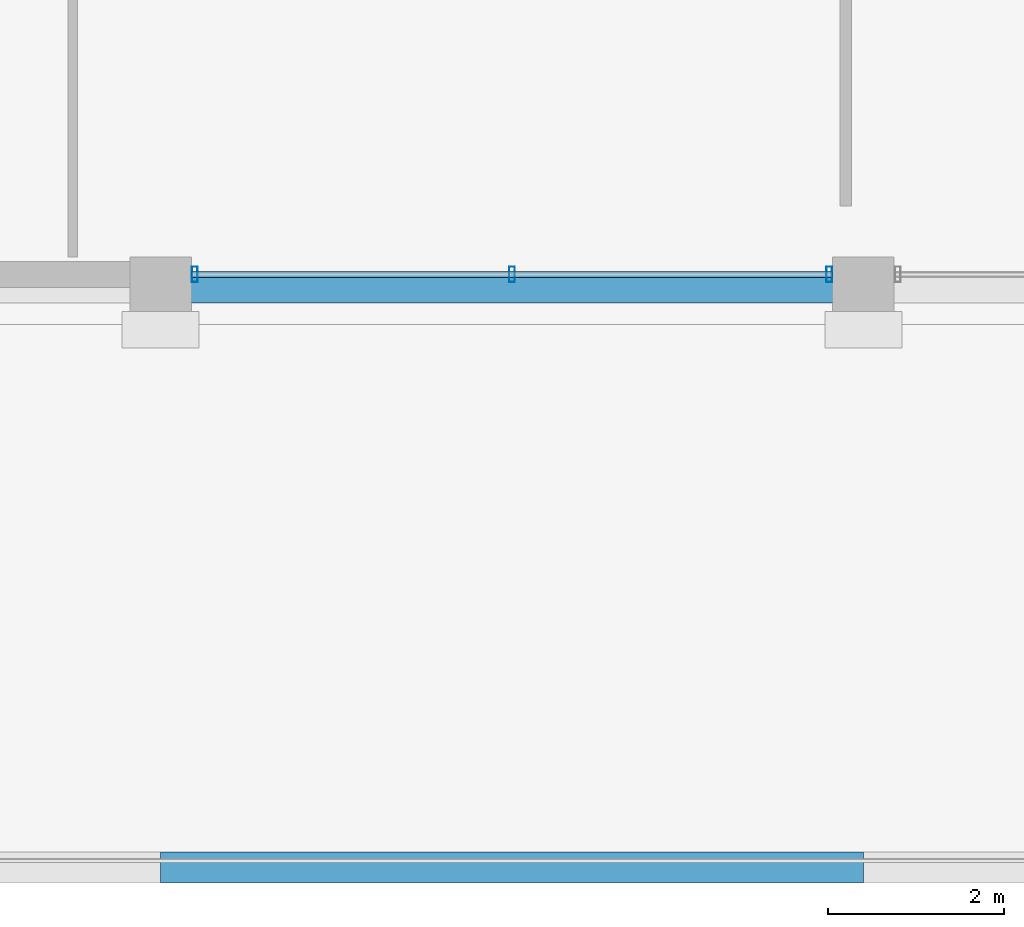
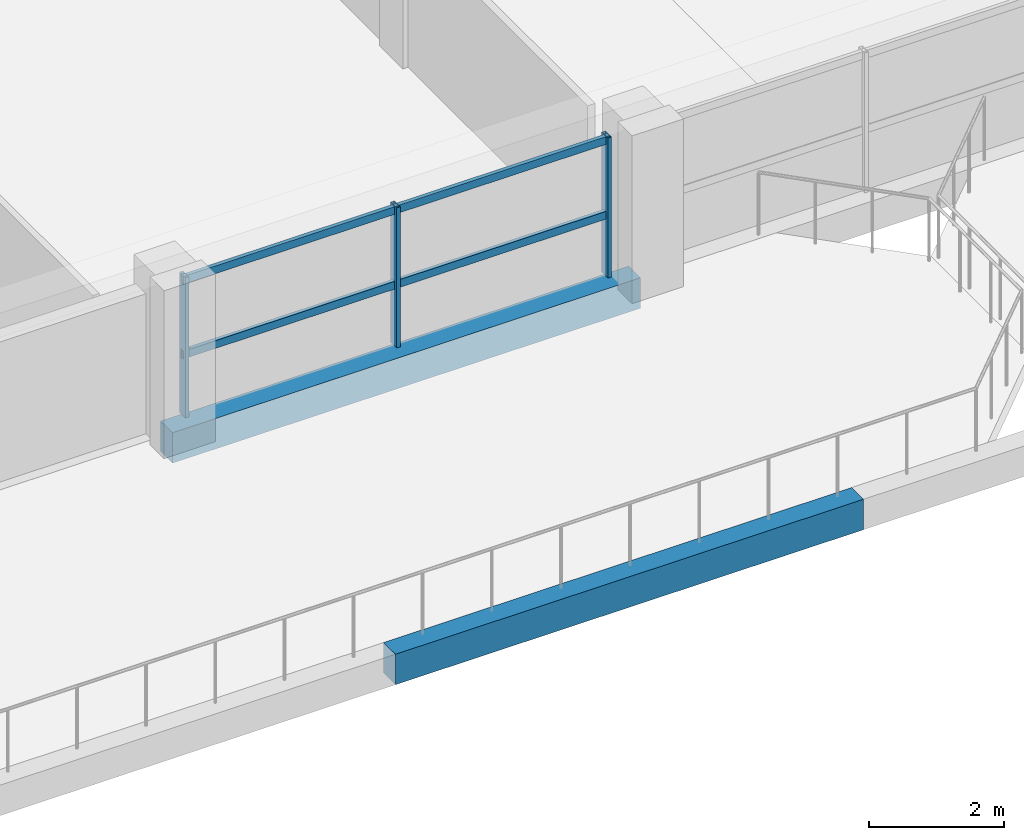
# One storey, part 3 of 21: 5 members, 2 beams, 1 element without a shape of its own.
"""IFC4 building model written with IfcOpenShell, lengths in metres."""

from ifc_helpers import new_model, si_unit, direction, frame, origin, origin_2d, place, context, subcontext, project, spatial, rectangle, hollow_rectangle, extrude, material, material_profile, profile_set, type_object, element, aggregate, save


model = new_model("IFC4")

# Units and contexts
model_context = context("Model", 3, precision=1e-05, world=origin(), true_north=direction((0.0, 1.0)))
body_context = subcontext(model_context, "Body", "Model", "MODEL_VIEW")
ifc_project = project(units=[si_unit("LENGTHUNIT", "METRE"), si_unit("AREAUNIT", "SQUARE_METRE"), si_unit("VOLUMEUNIT", "CUBIC_METRE"), si_unit("PLANEANGLEUNIT", "RADIAN"), si_unit("MASSUNIT", "GRAM", prefix="KILO")], contexts=[model_context])

# Site, building, storey
site_placement = place(None, origin())
site = spatial("IfcSite", under=ifc_project, at=site_placement, CompositionType="ELEMENT")
building_placement = place(site_placement, origin())
building = spatial("IfcBuilding", under=site, at=building_placement, Name="Akrevak Sports Hall", CompositionType="ELEMENT")
storey_placement = place(building_placement, frame((0.0, 0.0, 53.550048828125)))
storey = spatial("IfcBuildingStorey", under=building, at=storey_placement, Name="L13", CompositionType="ELEMENT", Elevation=53.550048828125)

# Curtain wall, members
ifc_material_1 = material(Name="Anodized Bronze Aluminium & Low-E Glass", Category="aluminium")
curtain_wall_type = type_object("IfcCurtainWallType", Name="ARC-CW-TWR-68x30", PredefinedType="NOTDEFINED", material=ifc_material_1)
curtain_wall_placement = place(storey_placement, origin())
curtain_wall = element("IfcCurtainWall", 1, at=curtain_wall_placement, inside=storey, type_object=curtain_wall_type, Name="Curtain Wall CW-L13-S03", PredefinedType="NOTDEFINED")
ifc_material_2 = material(Name="Anodized Bronze Aluminium", Category="aluminium")
ifc_material_profile_1 = material_profile(ifc_material_2, hollow_rectangle(XDim=0.06494140625, YDim=0.179931640625, WallThickness=0.00390625, at=origin_2d()), Name="CWM 65x180", Category="aluminium")
ifc_profile_set_1 = profile_set([ifc_material_profile_1], Name="Anodized Bronze Aluminium")
member_type_1 = type_object("IfcMemberType", Name="ARC-CWM-65x140", PredefinedType="MULLION", material=ifc_profile_set_1)
member_1_placement = place(storey_placement, frame((68.389892578125, 35.550048828125, 0.0), z_axis=(0.0, 0.0, 1.0), x_axis=(1.0, 0.0, 0.0)))
member_1 = element("IfcMember", 2, at=member_1_placement, type_object=member_type_1, Name="Curtain Wall Mullion CW-L13-S03-M1", PredefinedType="MULLION", context=body_context, shape_type="SweptSolid", body=[
    extrude(hollow_rectangle(XDim=0.06494140625, YDim=0.179931640625, WallThickness=0.00390625, at=origin_2d()), origin(), (0.0, 0.0, 1.0), 2.530029296875),
])
member_2_placement = place(storey_placement, frame((72.0, 35.550048828125, 0.0), z_axis=(0.0, 0.0, 1.0), x_axis=(1.0, 0.0, 0.0)))
member_2 = element("IfcMember", 3, at=member_2_placement, type_object=member_type_1, Name="Curtain Wall Mullion CW-L13-S03-M2", PredefinedType="MULLION", context=body_context, shape_type="SweptSolid", body=[
    extrude(hollow_rectangle(XDim=0.06494140625, YDim=0.179931640625, WallThickness=0.00390625, at=origin_2d()), origin(), (0.0, 0.0, 1.0), 2.530029296875),
])
member_3_placement = place(storey_placement, frame((75.610107421875, 35.550048828125, 0.0), z_axis=(0.0, 0.0, 1.0), x_axis=(1.0, 0.0, 0.0)))
member_3 = element("IfcMember", 4, at=member_3_placement, type_object=member_type_1, Name="Curtain Wall Mullion CW-L13-S03-M3", PredefinedType="MULLION", context=body_context, shape_type="SweptSolid", body=[
    extrude(hollow_rectangle(XDim=0.06494140625, YDim=0.179931640625, WallThickness=0.00390625, at=origin_2d()), origin(), (0.0, 0.0, 1.0), 2.530029296875),
])
ifc_material_profile_2 = material_profile(ifc_material_2, hollow_rectangle(XDim=0.06494140625, YDim=0.139892578125, WallThickness=0.00390625, at=origin_2d()), Name="CWT 65x140", Category="aluminium")
ifc_profile_set_2 = profile_set([ifc_material_profile_2], Name="Anodized Bronze Aluminium")
member_type_2 = type_object("IfcMemberType", Name="ARC-CWT-65x110", PredefinedType="USERDEFINED", material=ifc_profile_set_2)
member_4_placement = place(storey_placement, frame((68.35009765625, 35.550048828125, 1.099853515625), z_axis=(1.0, 0.0, 0.0), x_axis=(0.0, 1.0, 0.0)))
member_4 = element("IfcMember", 5, at=member_4_placement, type_object=member_type_2, Name="Curtain Wall Transom CW-L13-S03-T1", ObjectType="TRANSOM", PredefinedType="USERDEFINED", context=body_context, shape_type="SweptSolid", body=[
    extrude(hollow_rectangle(XDim=0.06494140625, YDim=0.139892578125, WallThickness=0.00390625, at=origin_2d()), origin(), (0.0, 0.0, 1.0), 7.2998046875),
])
member_5_placement = place(storey_placement, frame((68.35009765625, 35.550048828125, 2.449951171875), z_axis=(1.0, 0.0, 0.0), x_axis=(0.0, 1.0, 0.0)))
member_5 = element("IfcMember", 6, at=member_5_placement, type_object=member_type_2, Name="Curtain Wall Transom CW-L13-S03-T2", ObjectType="TRANSOM", PredefinedType="USERDEFINED", context=body_context, shape_type="SweptSolid", body=[
    extrude(hollow_rectangle(XDim=0.06494140625, YDim=0.139892578125, WallThickness=0.00390625, at=origin_2d()), origin(), (0.0, 0.0, 1.0), 7.2998046875),
])
aggregate(curtain_wall, [member_1, member_2, member_3, member_4, member_5])

# Beams
ifc_material_3 = material(Name="Concrete C40/50", Category="concrete")
ifc_material_profile_3 = material_profile(ifc_material_3, rectangle(XDim=0.35009765625, YDim=0.550048828125, at=origin_2d()), Name="BM 350x550", Category="concrete")
ifc_profile_set_3 = profile_set([ifc_material_profile_3], Name="Concrete C40/50")
beam_type = type_object("IfcBeamType", Name="STR-BM-RC350x550", PredefinedType="BEAM", material=ifc_profile_set_3)
for number, where, z_axis, x_axis, name in (
    (7, (68.0, 28.800048828125, -0.275146484375), (1.0, 0.0, 0.0), (0.0, 1.0, 0.0), "Girder E/10-11 (L13)"),
    (8, (68.0, 35.39990234375, -0.275146484375), (1.0, 0.0, 0.0), (0.0, 1.0, 0.0), "Girder F/10-11 (L13)"),
):
    element("IfcBeam", number, at=place(storey_placement, frame(where, z_axis=z_axis, x_axis=x_axis)), inside=storey, type_object=beam_type, Name=name, PredefinedType="BEAM", context=body_context, shape_type="SweptSolid", body=[
        extrude(rectangle(XDim=0.35009765625, YDim=0.550048828125, at=origin_2d()), origin(), (0.0, 0.0, 1.0), 8.0),
    ])

save(model, "model.ifc")
